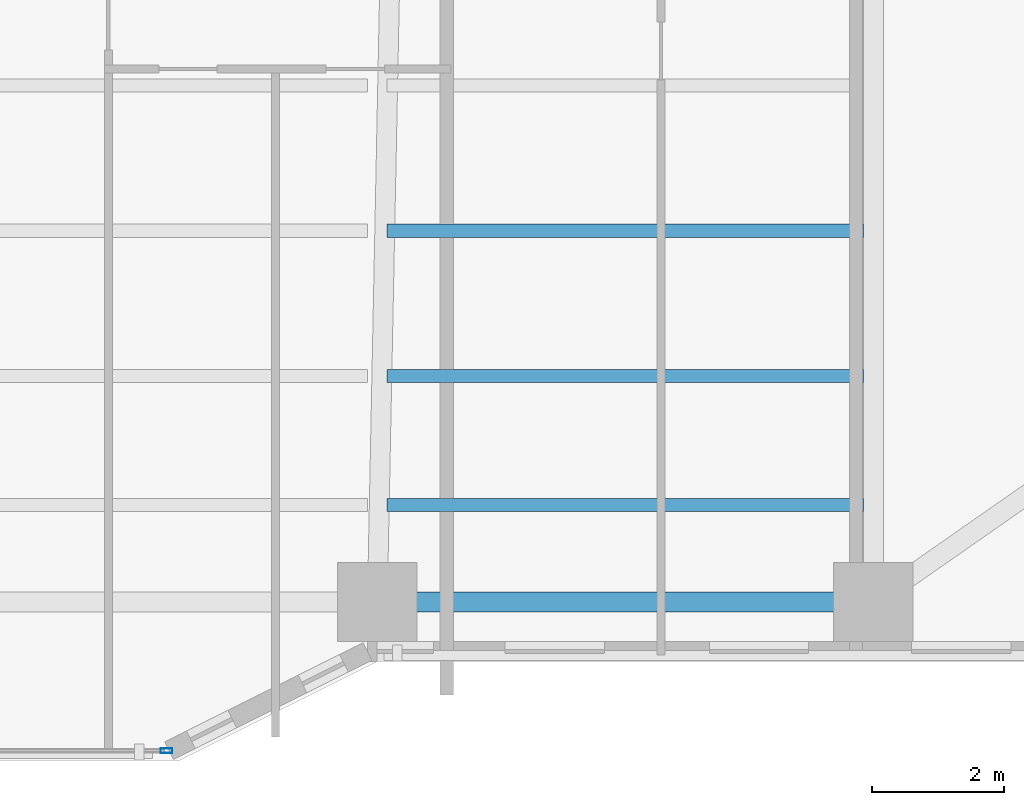
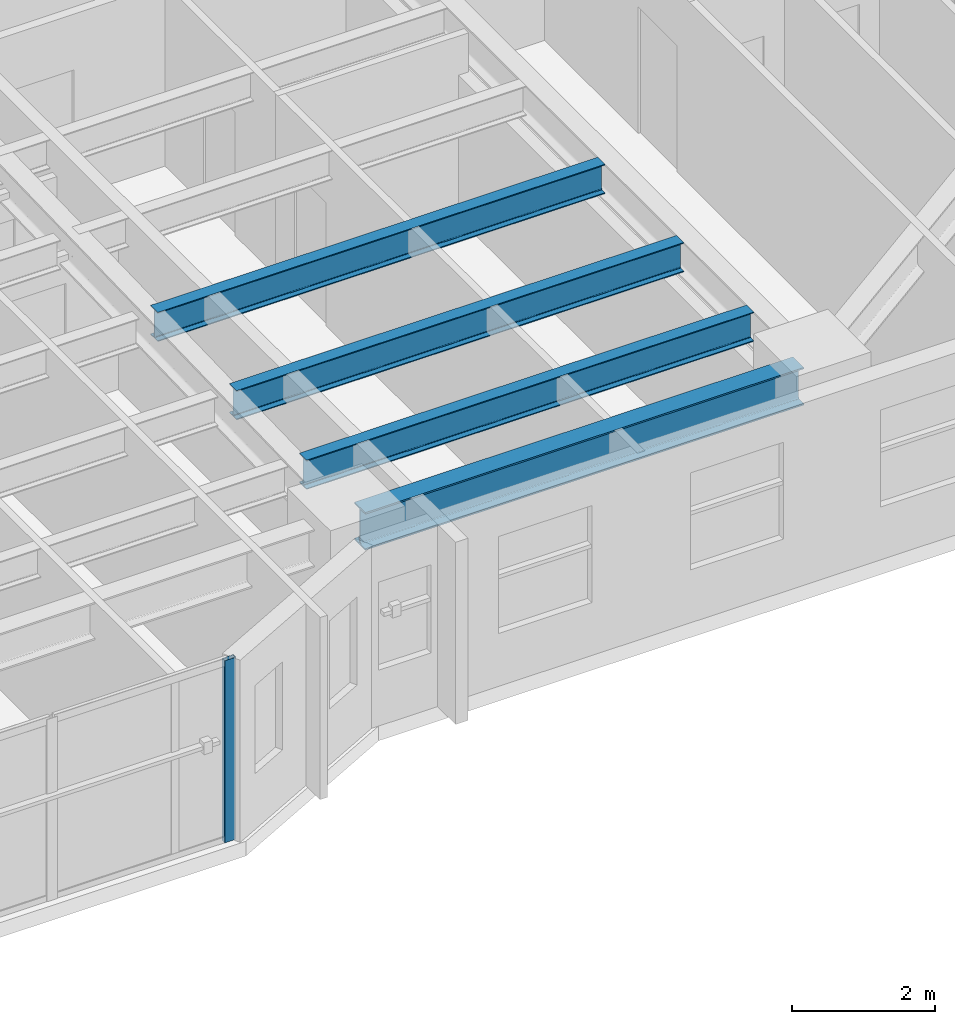
# One storey, part 4 of 22: 4 beams, 1 member, 1 element without a shape of its own.
"""IFC4 building model written with IfcOpenShell, lengths in metres."""

import ifcopenshell
import ifcopenshell.guid

model = None  # the IFC model being written
_history = None  # IfcOwnerHistory: only IFC2X3 demands one
_inside = {}  # id of a spatial element -> (the spatial element, [elements in it])
_under = {}  # id of a project, library or spatial element -> (it, [spatial elements below it])
_declared = {}  # id of a project -> (the project, [libraries it declares])
_typed = {}  # id of a type object -> (the type object, [elements of that type])
_made_of = {}  # id of a material, layer set ... -> (it, [elements and type objects made of it])


def new_model(schema):
    """Start an empty IFC model of exactly this schema.

    Asked for "IFC4X3", IfcOpenShell would pick the latest addendum, in which some entities
    have other attributes; the version numbers below select the first issue.
    IFC2X3 requires an IfcOwnerHistory on every rooted entity: one is made here for all.
    """
    global model, _history
    if schema == "IFC4X3":
        model = ifcopenshell.file(schema_version=(4, 3, 0, 0))
    else:
        model = ifcopenshell.file(schema=schema)
    _inside.clear()
    _under.clear()
    _declared.clear()
    _typed.clear()
    _made_of.clear()
    _history = None
    if model.schema == "IFC2X3":
        org = make("IfcOrganization", Name="unknown")
        user = make(
            "IfcPersonAndOrganization",
            ThePerson=make("IfcPerson", FamilyName="unknown"),
            TheOrganization=org,
        )
        app = make(
            "IfcApplication",
            ApplicationDeveloper=org,
            Version="unknown",
            ApplicationFullName="unknown",
            ApplicationIdentifier="unknown",
        )
        _history = make(
            "IfcOwnerHistory",
            OwningUser=user,
            OwningApplication=app,
            ChangeAction="ADDED",
            CreationDate=0,
        )
    return model


def make(cls, **values):
    """One entity of the class cls with the attributes given. An attribute that is None is left unset."""
    return model.create_entity(
        cls, **{name: value for name, value in values.items() if value is not None}
    )


def rooted(cls, **values):
    """An entity with a GlobalId (a new one), such as an element, a storey or a relation."""
    return make(cls, GlobalId=ifcopenshell.guid.new(), OwnerHistory=_history, **values)


def si_unit(unit_type, name, prefix=None):
    """IfcSIUnit, for example si_unit("LENGTHUNIT", "METRE", prefix="MILLI")."""
    return make("IfcSIUnit", UnitType=unit_type, Prefix=prefix, Name=name)


def assignment(units):
    """IfcUnitAssignment: the units of a project."""
    return None if units is None else make("IfcUnitAssignment", Units=units)


def point(xyz):
    """IfcCartesianPoint."""
    return None if xyz is None else make("IfcCartesianPoint", Coordinates=xyz)


def direction(xyz):
    """IfcDirection."""
    return None if xyz is None else make("IfcDirection", DirectionRatios=xyz)


def frame(location, z_axis=None, x_axis=None):
    """IfcAxis2Placement3D, a coordinate frame: its origin and axes. An axis left out is left unset."""
    return make(
        "IfcAxis2Placement3D",
        Location=point(location),
        Axis=direction(z_axis),
        RefDirection=direction(x_axis),
    )


def frame_2d(location, x_axis=None):
    """IfcAxis2Placement2D, a coordinate frame in the plane: its origin and x axis."""
    return make(
        "IfcAxis2Placement2D", Location=point(location), RefDirection=direction(x_axis)
    )


def origin():
    """The frame at (0, 0, 0) with its axes left unset."""
    return frame((0.0, 0.0, 0.0))


def origin_2d():
    """The frame at (0, 0) in the plane with its x axis left unset."""
    return frame_2d((0.0, 0.0))


def place(relative_to, where):
    """IfcLocalPlacement: puts the frame where relative to a parent placement (None: the world)."""
    return make(
        "IfcLocalPlacement", PlacementRelTo=relative_to, RelativePlacement=where
    )


def context(
    kind, dimensions, precision=None, world=None, true_north=None, identifier=None
):
    """IfcGeometricRepresentationContext, for example the 3D "Model" context."""
    return make(
        "IfcGeometricRepresentationContext",
        ContextIdentifier=identifier,
        ContextType=kind,
        CoordinateSpaceDimension=dimensions,
        Precision=precision,
        WorldCoordinateSystem=world,
        TrueNorth=true_north,
    )


def subcontext(parent, identifier, kind, view, scale=None):
    """IfcGeometricRepresentationSubContext, for example "Body" below "Model"."""
    return make(
        "IfcGeometricRepresentationSubContext",
        ContextIdentifier=identifier,
        ContextType=kind,
        ParentContext=parent,
        TargetScale=scale,
        TargetView=view,
    )


def project(units=None, contexts=None):
    """IfcProject with its units and contexts."""
    return rooted(
        "IfcProject",
        Name="project",
        RepresentationContexts=contexts,
        UnitsInContext=assignment(units),
    )


def spatial(cls, under=None, at=None, **own):
    """A site, building, storey or space (cls), placed at a placement, below another one or the project."""
    s = rooted(cls, ObjectPlacement=at, **own)
    if under is not None:
        _under.setdefault(under.id(), (under, []))[1].append(s)
    return s


def profile(cls, at=None, kind="AREA", **sizes):
    """A parametric profile (cls). Its sizes go by their IFC names, for example OverallWidth=200.0."""
    return make(cls, ProfileType=kind, Position=at, **sizes)


def hollow_rectangle(**sizes):
    """IfcRectangleHollowProfileDef."""
    return profile("IfcRectangleHollowProfileDef", **sizes)


def i_section(**sizes):
    """IfcIShapeProfileDef."""
    return profile("IfcIShapeProfileDef", **sizes)


def extrude(swept, where, along, depth):
    """IfcExtrudedAreaSolid: the profile swept, set in the frame where, extruded along a direction by depth."""
    return make(
        "IfcExtrudedAreaSolid",
        SweptArea=swept,
        Position=where,
        ExtrudedDirection=direction(along),
        Depth=depth,
    )


def shape(context_of_items, identifier, shape_type, items):
    """IfcShapeRepresentation: the items that make up one representation, for example the "Body"."""
    return make(
        "IfcShapeRepresentation",
        ContextOfItems=context_of_items,
        RepresentationIdentifier=identifier,
        RepresentationType=shape_type,
        Items=items,
    )


def material(Name=None, Category=None):
    """IfcMaterial."""
    return make("IfcMaterial", Name=Name, Category=Category)


def layer(
    of_material, thickness, ventilated=None, Name=None, Category=None, Priority=None
):
    """IfcMaterialLayer: one layer of a wall or slab, of a material (None: an air gap)."""
    return make(
        "IfcMaterialLayer",
        Material=of_material,
        LayerThickness=thickness,
        IsVentilated=ventilated,
        Name=Name,
        Category=Category,
        Priority=Priority,
    )


def layer_set(layers, Name=None):
    """IfcMaterialLayerSet."""
    return make("IfcMaterialLayerSet", MaterialLayers=layers, LayerSetName=Name)


def material_profile(
    of_material, cross_section, Name=None, Category=None, Priority=None
):
    """IfcMaterialProfile: a cross section and its material."""
    return make(
        "IfcMaterialProfile",
        Name=Name,
        Material=of_material,
        Profile=cross_section,
        Priority=Priority,
        Category=Category,
    )


def profile_set(profiles, Name=None, composite=None):
    """IfcMaterialProfileSet."""
    return make(
        "IfcMaterialProfileSet",
        Name=Name,
        MaterialProfiles=profiles,
        CompositeProfile=composite,
    )


def made_of(thing, what):
    """Note that an element or type object is made of a material, layer set ...; save() writes the relation."""
    if what is not None:
        _made_of.setdefault(what.id(), (what, []))[1].append(thing)
    return thing


def type_object(cls, material=None, **own):
    """A type object (cls), such as IfcWallType, which elements share."""
    return made_of(rooted(cls, **own), material)


def element(
    cls,
    number,
    at=None,
    inside=None,
    cuts=None,
    type_object=None,
    material=None,
    context=None,
    identifier="Body",
    shape_type=None,
    held_by="IfcProductDefinitionShape",
    body=None,
    shapes=None,
    **own,
):
    """One element of the class cls, such as IfcWall. Its Tag is "e" and its number.

    at: its placement. inside: the storey or other place that contains it. cuts: it is an
    opening in that element (IfcRelVoidsElement). A single representation is given by context,
    identifier, shape_type and body (its items); several are given by shapes. held_by: the class
    of the entity that holds the representations. save() writes the other relations.
    """
    e = rooted(cls, Tag="e%d" % number, ObjectPlacement=at, **own)
    if body is not None:
        shapes = [shape(context, identifier, shape_type, body)]
    if shapes is not None:
        e.Representation = make(held_by, Representations=shapes)
    if inside is not None:
        _inside.setdefault(inside.id(), (inside, []))[1].append(e)
    if cuts is not None:
        rooted(
            "IfcRelVoidsElement", RelatingBuildingElement=cuts, RelatedOpeningElement=e
        )
    if type_object is not None:
        _typed.setdefault(type_object.id(), (type_object, []))[1].append(e)
    return made_of(e, material)


def aggregate(whole, parts):
    """IfcRelAggregates: a whole, such as a stair, and the parts it consists of."""
    return rooted("IfcRelAggregates", RelatingObject=whole, RelatedObjects=parts)


def save(model, path):
    """Write the relations noted so far, then the file.

    IfcRelAggregates (storeys below a building ...), IfcRelContainedInSpatialStructure (elements
    in a storey), IfcRelDefinesByType, IfcRelAssociatesMaterial and IfcRelDeclares: one each for
    every whole, place, type object, material and project.
    """
    for whole, parts in _under.values():
        aggregate(whole, parts)
    for where, things in _inside.values():
        rooted(
            "IfcRelContainedInSpatialStructure",
            RelatedElements=things,
            RelatingStructure=where,
        )
    for kind, things in _typed.values():
        rooted("IfcRelDefinesByType", RelatedObjects=things, RelatingType=kind)
    for what, things in _made_of.values():
        rooted("IfcRelAssociatesMaterial", RelatedObjects=things, RelatingMaterial=what)
    for by, libraries in _declared.values():
        rooted("IfcRelDeclares", RelatingContext=by, RelatedDefinitions=libraries)
    model.write(path)


model = new_model("IFC4")

# Units and contexts
model_context = context("Model", 3, precision=1e-05, world=origin(), true_north=direction((0.0, 1.0)))
body_context = subcontext(model_context, "Body", "Model", "MODEL_VIEW")
ifc_project = project(units=[si_unit("LENGTHUNIT", "METRE"), si_unit("AREAUNIT", "SQUARE_METRE"), si_unit("VOLUMEUNIT", "CUBIC_METRE"), si_unit("PLANEANGLEUNIT", "RADIAN"), si_unit("MASSUNIT", "GRAM", prefix="KILO")], contexts=[model_context])

# Site, building, storey
site_placement = place(None, origin())
site = spatial("IfcSite", under=ifc_project, at=site_placement, CompositionType="ELEMENT")
building_placement = place(site_placement, origin())
building = spatial("IfcBuilding", under=site, at=building_placement, Name="Tarnavaz Court Tower", CompositionType="ELEMENT")
storey_placement = place(building_placement, frame((0.0, 0.0, 27.35009765625)))
storey = spatial("IfcBuildingStorey", under=building, at=storey_placement, Name="L06", CompositionType="ELEMENT", Elevation=27.35009765625)

# Beams
ifc_material_1 = material(Name="Steel S355", Category="steel")
ifc_material_profile_1 = material_profile(ifc_material_1, i_section(OverallWidth=0.199951171875, OverallDepth=0.5, WebThickness=0.01025390625, FlangeThickness=0.01611328125, FilletRadius=0.02099609375, at=origin_2d()), Name="IPE 500")
ifc_profile_set_1 = profile_set([ifc_material_profile_1], Name="Steel S355")
beam_type_1 = type_object("IfcBeamType", Name="BM-J-IPE500", PredefinedType="JOIST", material=ifc_profile_set_1)
for number, where, z_axis, x_axis, name in (
    (1, (7.64990234375, -17.18798828125, 2.849853515625), (1.0, 0.0, 0.0), (0.0, 1.0, 0.0), "L06 Beam JS3-3"),
    (2, (7.64990234375, -19.384033203125, 2.849853515625), (1.0, 0.0, 0.0), (0.0, 1.0, 0.0), "L06 Beam JS4-3"),
    (3, (7.64990234375, -21.3359375, 2.849853515625), (1.0, 0.0, 0.0), (0.0, 1.0, 0.0), "L06 Beam JS5-3"),
):
    element("IfcBeam", number, at=place(storey_placement, frame(where, z_axis=z_axis, x_axis=x_axis)), inside=storey, type_object=beam_type_1, Name=name, PredefinedType="JOIST", context=body_context, shape_type="SweptSolid", body=[
        extrude(i_section(OverallWidth=0.199951171875, OverallDepth=0.5, WebThickness=0.01025390625, FlangeThickness=0.01611328125, FilletRadius=0.02099609375, at=origin_2d()), origin(), (0.0, 0.0, 1.0), 7.2001953125),
    ])
ifc_material_profile_2 = material_profile(ifc_material_1, i_section(OverallWidth=0.300048828125, OverallDepth=0.639892578125, WebThickness=0.013427734375, FlangeThickness=0.02587890625, FilletRadius=0.027099609375, at=origin_2d()), Name="HEA 650")
ifc_profile_set_2 = profile_set([ifc_material_profile_2], Name="Steel S355")
beam_type_2 = type_object("IfcBeamType", Name="BM-SP-HEA650", PredefinedType="SPANDREL", material=ifc_profile_set_2)
beam_placement = place(storey_placement, frame((7.719970703125, -22.800048828125, 2.77978515625), z_axis=(1.0, 0.0, 0.0), x_axis=(0.0, 1.0, 0.0)))
element("IfcBeam", 4, at=beam_placement, inside=storey, type_object=beam_type_2, Name="L06 Beam PR-PS-3-PS-4", PredefinedType="SPANDREL", context=body_context, shape_type="SweptSolid", body=[
    extrude(i_section(OverallWidth=0.300048828125, OverallDepth=0.639892578125, WebThickness=0.013427734375, FlangeThickness=0.02587890625, FilletRadius=0.027099609375, at=origin_2d()), origin(), (0.0, 0.0, 1.0), 7.06005859375),
])

# Curtain wall, member
ifc_material_2 = material(Name="Anodised Aluminium 6063-T6 and Solar Low-E Glazing", Category="aluminium")
ifc_layer = layer(ifc_material_2, 0.179931640625)
ifc_layer_set = layer_set([ifc_layer], Name="Anodised Aluminium 6063-T6 and Solar Low-E Glazing")
curtain_wall_type = type_object("IfcCurtainWallType", Name="CW-SYS-02", PredefinedType="NOTDEFINED", material=ifc_layer_set)
curtain_wall_placement = place(storey_placement, origin())
curtain_wall = element("IfcCurtainWall", 5, at=curtain_wall_placement, inside=storey, type_object=curtain_wall_type, Name="L06 Iwan Prow Curtain Wall 17", PredefinedType="NOTDEFINED")
ifc_material_3 = material(Name="Anodised Aluminium 6063-T6", Category="aluminium")
ifc_material_profile_3 = material_profile(ifc_material_3, hollow_rectangle(XDim=0.074951171875, YDim=0.179931640625, WallThickness=0.0048828125, InnerFilletRadius=0.0048828125, OuterFilletRadius=0.010009765625, at=origin_2d()), Name="ALU RHS 180X75X5")
ifc_profile_set_3 = profile_set([ifc_material_profile_3], Name="Anodised Aluminium 6063-T6")
member_type = type_object("IfcMemberType", Name="CW-MUL-180", PredefinedType="MULLION", material=ifc_profile_set_3)
member_placement = place(storey_placement, frame((4.3125, -25.050048828125, 0.0), z_axis=(0.0, 0.0, 1.0), x_axis=(0.0, -1.0, 0.0)))
member = element("IfcMember", 6, at=member_placement, type_object=member_type, Name="CW mullion 1", PredefinedType="MULLION", context=body_context, shape_type="SweptSolid", body=[
    extrude(hollow_rectangle(XDim=0.074951171875, YDim=0.179931640625, WallThickness=0.0048828125, InnerFilletRadius=0.0048828125, OuterFilletRadius=0.010009765625, at=origin_2d()), origin(), (0.0, 0.0, 1.0), 3.099853515625),
])
aggregate(curtain_wall, [member])

save(model, "model.ifc")
